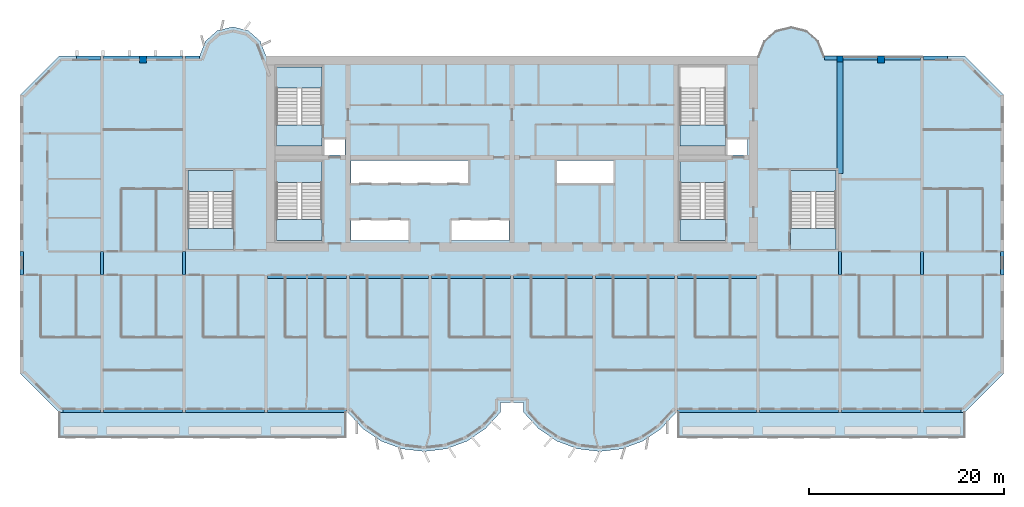
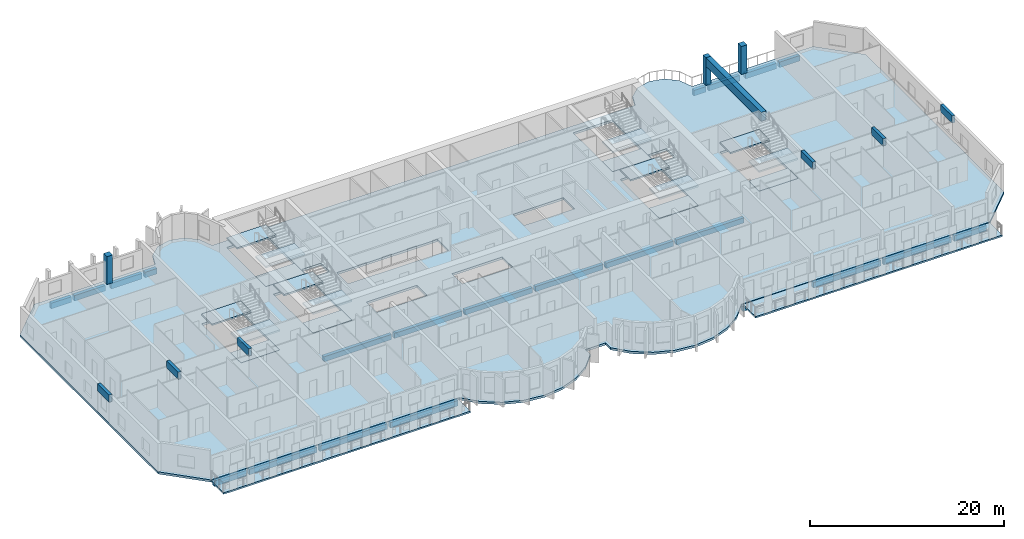
# One storey, part 1 of 15: 29 beams, 20 slabs, 3 columns, 6 elements without a shape of their own.
"""IFC4 building model written with IfcOpenShell, lengths in metres."""

from ifc_helpers import new_model, si_unit, direction, frame, origin, origin_2d, place, context, subcontext, project, spatial, polyline, rectangle, outline, extrude, source, transform, mapped, material, layer, layer_set, material_profile, profile_set, type_object, element, aggregate, save


model = new_model("IFC4")

# Units and contexts
model_context = context("Model", 3, precision=1e-05, world=origin(), true_north=direction((0.0, 1.0)))
body_context = subcontext(model_context, "Body", "Model", "MODEL_VIEW")
ifc_project = project(units=[si_unit("LENGTHUNIT", "METRE"), si_unit("AREAUNIT", "SQUARE_METRE"), si_unit("VOLUMEUNIT", "CUBIC_METRE"), si_unit("PLANEANGLEUNIT", "RADIAN"), si_unit("MASSUNIT", "GRAM", prefix="KILO")], contexts=[model_context])

# Site, building, storey
site_placement = place(None, origin())
site = spatial("IfcSite", under=ifc_project, at=site_placement, CompositionType="ELEMENT")
building_placement = place(site_placement, origin())
building = spatial("IfcBuilding", under=site, at=building_placement, Name="Vanashikhar Sky Hotel", CompositionType="ELEMENT")
storey_placement = place(building_placement, frame((0.0, 0.0, 137.0)))
storey = spatial("IfcBuildingStorey", under=building, at=storey_placement, Name="L33", CompositionType="ELEMENT", Elevation=137.0)

# Columns
ifc_material_1 = material(Name="Concrete M60", Category="concrete")
ifc_material_profile_1 = material_profile(ifc_material_1, rectangle(XDim=0.60009765625, YDim=0.60009765625, at=origin_2d()))
ifc_profile_set_1 = profile_set([ifc_material_profile_1], Name="RC 600x600 column Concrete M60")
column_type_1 = type_object("IfcColumnType", Name="RC 600x600 column Concrete M60", PredefinedType="COLUMN", material=ifc_profile_set_1)
shared_shape_1 = source(origin(), body_context, "Body", "SweptSolid", [
    extrude(rectangle(XDim=0.60009765625, YDim=0.60009765625, at=origin_2d()), origin(), (0.0, 0.0, 1.0), 3.52001953125),
])
column_placement = place(storey_placement, frame((84.0, 41.699951171875, 0.0), z_axis=(0.0, 0.0, 1.0), x_axis=(1.0, 0.0, 0.0)))
element("IfcColumn", 1, at=column_placement, inside=storey, type_object=column_type_1, Name="CL-L33-CRF", PredefinedType="COLUMN", context=body_context, shape_type="MappedRepresentation", body=[
    mapped(shared_shape_1, transform((0.0, 0.0, 0.0), scale=1.0)),
])
ifc_material_profile_2 = material_profile(ifc_material_1, rectangle(XDim=0.699951171875, YDim=0.699951171875, at=origin_2d()))
ifc_profile_set_2 = profile_set([ifc_material_profile_2], Name="RC 700x700 column Concrete M60")
column_type_2 = type_object("IfcColumnType", Name="RC 700x700 column Concrete M60", PredefinedType="COLUMN", material=ifc_profile_set_2)
shared_shape_2 = source(origin(), body_context, "Body", "SweptSolid", [
    extrude(rectangle(XDim=0.699951171875, YDim=0.699951171875, at=origin_2d()), origin(), (0.0, 0.0, 1.0), 3.52001953125),
])
for number, where, z_axis, x_axis, name in (
    (2, (12.60009765625, 41.64990234375, 0.0), (0.0, 0.0, 1.0), (1.0, 0.0, 0.0), "CL-L33-CR02"),
    (3, (88.199951171875, 41.64990234375, 0.0), (0.0, 0.0, 1.0), (1.0, 0.0, 0.0), "CL-L33-CR11"),
):
    element("IfcColumn", number, at=place(storey_placement, frame(where, z_axis=z_axis, x_axis=x_axis)), inside=storey, type_object=column_type_2, Name=name, PredefinedType="COLUMN", context=body_context, shape_type="MappedRepresentation", body=[
        mapped(shared_shape_2, transform((0.0, 0.0, 0.0), scale=1.0)),
    ])

# Beams
ifc_material_2 = material(Name="Concrete M50", Category="concrete")
ifc_material_profile_3 = material_profile(ifc_material_2, rectangle(XDim=0.60009765625, YDim=1.10009765625, at=origin_2d()))
ifc_profile_set_3 = profile_set([ifc_material_profile_3], Name="RC 600x1100 beam Concrete M50")
beam_type_1 = type_object("IfcBeamType", Name="RC 600x1100 beam Concrete M50", PredefinedType="BEAM", material=ifc_profile_set_3)
shared_shape_3 = source(origin(), body_context, "Body", "SweptSolid", [
    extrude(rectangle(XDim=0.60009765625, YDim=1.10009765625, at=origin_2d()), origin(), (0.0, 0.0, 1.0), 11.39990234375),
])
beam_1_placement = place(storey_placement, frame((84.0, 30.0, 2.969970703125), z_axis=(0.0, 1.0, 0.0), x_axis=(-1.0, 0.0, 0.0)))
element("IfcBeam", 4, at=beam_1_placement, inside=storey, type_object=beam_type_1, Name="LB-L33-XW11-O1", PredefinedType="BEAM", context=body_context, shape_type="MappedRepresentation", body=[
    mapped(shared_shape_3, transform((0.0, 0.0, 0.0), scale=1.0)),
])
ifc_material_profile_4 = material_profile(ifc_material_2, rectangle(XDim=0.35009765625, YDim=0.89990234375, at=origin_2d()))
ifc_profile_set_4 = profile_set([ifc_material_profile_4], Name="RC 350x900 beam Concrete M50")
beam_type_2 = type_object("IfcBeamType", Name="RC 350x900 beam Concrete M50", PredefinedType="LINTEL", material=ifc_profile_set_4)
shared_shape_4 = source(origin(), body_context, "Body", "SweptSolid", [
    extrude(rectangle(XDim=0.35009765625, YDim=0.89990234375, at=origin_2d()), origin(), (0.0, 0.0, 1.0), 2.39990234375),
])
for number, where, z_axis, x_axis, name in (
    (5, (0.175048828125, 19.60009765625, 3.070068359375), (0.0, 1.0, 0.0), (-1.0, 0.0, 0.0), "LB-L33-XW01"),
    (6, (8.39990234375, 19.60009765625, 3.070068359375), (0.0, 1.0, 0.0), (-1.0, 0.0, 0.0), "LB-L33-XW02"),
    (7, (16.800048828125, 19.60009765625, 3.070068359375), (0.0, 1.0, 0.0), (-1.0, 0.0, 0.0), "LB-L33-XW03"),
    (8, (84.0, 19.60009765625, 3.070068359375), (0.0, 1.0, 0.0), (-1.0, 0.0, 0.0), "LB-L33-XW11"),
    (9, (92.39990234375, 19.60009765625, 3.070068359375), (0.0, 1.0, 0.0), (-1.0, 0.0, 0.0), "LB-L33-XW12"),
    (10, (100.625, 19.60009765625, 3.070068359375), (0.0, 1.0, 0.0), (-1.0, 0.0, 0.0), "LB-L33-XW13"),
):
    element("IfcBeam", number, at=place(storey_placement, frame(where, z_axis=z_axis, x_axis=x_axis)), inside=storey, type_object=beam_type_2, Name=name, PredefinedType="LINTEL", context=body_context, shape_type="MappedRepresentation", body=[
        mapped(shared_shape_4, transform((0.0, 0.0, 0.0), scale=1.0)),
    ])
ifc_material_profile_5 = material_profile(ifc_material_2, rectangle(XDim=0.39990234375, YDim=0.699951171875, at=origin_2d()))
ifc_profile_set_5 = profile_set([ifc_material_profile_5], Name="RC 400x700 beam Concrete M50")
beam_type_3 = type_object("IfcBeamType", Name="RC 400x700 beam Concrete M50", PredefinedType="SPANDREL", material=ifc_profile_set_5)
shared_shape_5 = source(origin(), body_context, "Body", "SweptSolid", [
    extrude(rectangle(XDim=0.39990234375, YDim=0.699951171875, at=origin_2d()), origin(), (0.0, 0.0, 1.0), 8.050048828125),
])
for number, where, z_axis, x_axis, name in (
    (11, (8.574951171875, 5.699951171875, -0.6298828125), (1.0, 0.0, 0.0), (0.0, 1.0, 0.0), "EB-L33-F01"),
    (12, (25.375, 5.699951171875, -0.6298828125), (1.0, 0.0, 0.0), (0.0, 1.0, 0.0), "EB-L33-F03"),
    (13, (67.375, 5.699951171875, -0.6298828125), (1.0, 0.0, 0.0), (0.0, 1.0, 0.0), "EB-L33-F05"),
    (14, (75.77490234375, 5.699951171875, -0.6298828125), (1.0, 0.0, 0.0), (0.0, 1.0, 0.0), "EB-L33-F06"),
    (15, (84.175048828125, 5.699951171875, -0.6298828125), (1.0, 0.0, 0.0), (0.0, 1.0, 0.0), "EB-L33-F07"),
):
    element("IfcBeam", number, at=place(storey_placement, frame(where, z_axis=z_axis, x_axis=x_axis)), inside=storey, type_object=beam_type_3, Name=name, PredefinedType="SPANDREL", context=body_context, shape_type="MappedRepresentation", body=[
        mapped(shared_shape_5, transform((0.0, 0.0, 0.0), scale=1.0)),
    ])
shared_shape_6 = source(origin(), body_context, "Body", "SweptSolid", [
    extrude(rectangle(XDim=0.39990234375, YDim=0.699951171875, at=origin_2d()), origin(), (0.0, 0.0, 1.0), 8.0498046875),
])
beam_2_placement = place(storey_placement, frame((16.97509765625, 5.699951171875, -0.6298828125), z_axis=(1.0, 0.0, 0.0), x_axis=(0.0, 1.0, 0.0)))
element("IfcBeam", 16, at=beam_2_placement, inside=storey, type_object=beam_type_3, Name="EB-L33-F02", PredefinedType="SPANDREL", context=body_context, shape_type="MappedRepresentation", body=[
    mapped(shared_shape_6, transform((0.0, 0.0, 0.0), scale=1.0)),
])
ifc_material_profile_6 = material_profile(ifc_material_2, rectangle(XDim=0.39990234375, YDim=0.699951171875, at=origin_2d()))
ifc_profile_set_6 = profile_set([ifc_material_profile_6], Name="RC 400x700 cantilever beam Concrete M50")
beam_type_4 = type_object("IfcBeamType", Name="RC 400x700 cantilever beam Concrete M50", PredefinedType="SPANDREL", material=ifc_profile_set_6)
shared_shape_7 = source(origin(), body_context, "Body", "SweptSolid", [
    extrude(rectangle(XDim=0.39990234375, YDim=0.699951171875, at=origin_2d()), origin(), (0.0, 0.0, 1.0), 3.8251953125),
])
beam_3_placement = place(storey_placement, frame((4.39990234375, 5.699951171875, -0.6298828125), z_axis=(1.0, 0.0, 0.0), x_axis=(0.0, 1.0, 0.0)))
element("IfcBeam", 17, at=beam_3_placement, inside=storey, type_object=beam_type_4, Name="EB-L33-F04", PredefinedType="SPANDREL", context=body_context, shape_type="MappedRepresentation", body=[
    mapped(shared_shape_7, transform((0.0, 0.0, 0.0), scale=1.0)),
])
shared_shape_8 = source(origin(), body_context, "Body", "SweptSolid", [
    extrude(rectangle(XDim=0.39990234375, YDim=0.699951171875, at=origin_2d()), origin(), (0.0, 0.0, 1.0), 3.824951171875),
])
beam_4_placement = place(storey_placement, frame((92.574951171875, 5.699951171875, -0.6298828125), z_axis=(1.0, 0.0, 0.0), x_axis=(0.0, 1.0, 0.0)))
element("IfcBeam", 18, at=beam_4_placement, inside=storey, type_object=beam_type_4, Name="EB-L33-F08", PredefinedType="SPANDREL", context=body_context, shape_type="MappedRepresentation", body=[
    mapped(shared_shape_8, transform((0.0, 0.0, 0.0), scale=1.0)),
])
shared_shape_9 = source(origin(), body_context, "Body", "SweptSolid", [
    extrude(rectangle(XDim=0.39990234375, YDim=0.699951171875, at=origin_2d()), origin(), (0.0, 0.0, 1.0), 3.675048828125),
])
for number, where, z_axis, x_axis, name in (
    (19, (8.574951171875, 41.800048828125, -0.6298828125), (1.0, 0.0, 0.0), (0.0, 1.0, 0.0), "EB-L33-R01"),
    (20, (12.949951171875, 41.800048828125, -0.6298828125), (1.0, 0.0, 0.0), (0.0, 1.0, 0.0), "EB-L33-R02"),
    (21, (84.175048828125, 41.800048828125, -0.6298828125), (1.0, 0.0, 0.0), (0.0, 1.0, 0.0), "EB-L33-R05"),
    (22, (88.550048828125, 41.800048828125, -0.6298828125), (1.0, 0.0, 0.0), (0.0, 1.0, 0.0), "EB-L33-R06"),
):
    element("IfcBeam", number, at=place(storey_placement, frame(where, z_axis=z_axis, x_axis=x_axis)), inside=storey, type_object=beam_type_3, Name=name, PredefinedType="SPANDREL", context=body_context, shape_type="MappedRepresentation", body=[
        mapped(shared_shape_9, transform((0.0, 0.0, 0.0), scale=1.0)),
    ])
shared_shape_10 = source(origin(), body_context, "Body", "SweptSolid", [
    extrude(rectangle(XDim=0.39990234375, YDim=0.699951171875, at=origin_2d()), origin(), (0.0, 0.0, 1.0), 2.43017578125),
])
beam_5_placement = place(storey_placement, frame((5.794921875, 41.800048828125, -0.6298828125), z_axis=(1.0, 0.0, 0.0), x_axis=(0.0, 1.0, 0.0)))
element("IfcBeam", 23, at=beam_5_placement, inside=storey, type_object=beam_type_4, Name="EB-L33-R03", PredefinedType="SPANDREL", context=body_context, shape_type="MappedRepresentation", body=[
    mapped(shared_shape_10, transform((0.0, 0.0, 0.0), scale=1.0)),
])
shared_shape_11 = source(origin(), body_context, "Body", "SweptSolid", [
    extrude(rectangle(XDim=0.39990234375, YDim=0.699951171875, at=origin_2d()), origin(), (0.0, 0.0, 1.0), 1.4248046875),
])
beam_6_placement = place(storey_placement, frame((16.97509765625, 41.800048828125, -0.6298828125), z_axis=(1.0, 0.0, 0.0), x_axis=(0.0, 1.0, 0.0)))
element("IfcBeam", 24, at=beam_6_placement, inside=storey, type_object=beam_type_4, Name="EB-L33-R04", PredefinedType="SPANDREL", context=body_context, shape_type="MappedRepresentation", body=[
    mapped(shared_shape_11, transform((0.0, 0.0, 0.0), scale=1.0)),
])
shared_shape_12 = source(origin(), body_context, "Body", "SweptSolid", [
    extrude(rectangle(XDim=0.39990234375, YDim=0.699951171875, at=origin_2d()), origin(), (0.0, 0.0, 1.0), 1.425048828125),
])
beam_7_placement = place(storey_placement, frame((82.39990234375, 41.800048828125, -0.6298828125), z_axis=(1.0, 0.0, 0.0), x_axis=(0.0, 1.0, 0.0)))
element("IfcBeam", 25, at=beam_7_placement, inside=storey, type_object=beam_type_4, Name="EB-L33-R07", PredefinedType="SPANDREL", context=body_context, shape_type="MappedRepresentation", body=[
    mapped(shared_shape_12, transform((0.0, 0.0, 0.0), scale=1.0)),
])
shared_shape_13 = source(origin(), body_context, "Body", "SweptSolid", [
    extrude(rectangle(XDim=0.39990234375, YDim=0.699951171875, at=origin_2d()), origin(), (0.0, 0.0, 1.0), 2.429931640625),
])
beam_8_placement = place(storey_placement, frame((92.574951171875, 41.800048828125, -0.6298828125), z_axis=(1.0, 0.0, 0.0), x_axis=(0.0, 1.0, 0.0)))
element("IfcBeam", 26, at=beam_8_placement, inside=storey, type_object=beam_type_4, Name="EB-L33-R08", PredefinedType="SPANDREL", context=body_context, shape_type="MappedRepresentation", body=[
    mapped(shared_shape_13, transform((0.0, 0.0, 0.0), scale=1.0)),
])
ifc_material_profile_7 = material_profile(ifc_material_2, rectangle(XDim=0.39990234375, YDim=0.64990234375, at=origin_2d()))
ifc_profile_set_7 = profile_set([ifc_material_profile_7], Name="RC 400x650 beam Concrete M50")
beam_type_5 = type_object("IfcBeamType", Name="RC 400x650 beam Concrete M50", PredefinedType="BEAM", material=ifc_profile_set_7)
shared_shape_14 = source(origin(), body_context, "Body", "SweptSolid", [
    extrude(rectangle(XDim=0.39990234375, YDim=0.64990234375, at=origin_2d()), origin(), (0.0, 0.0, 1.0), 8.050048828125),
])
for number, where, z_axis, x_axis, name in (
    (27, (25.375, 19.39990234375, -0.60498046875), (1.0, 0.0, 0.0), (0.0, 1.0, 0.0), "CB-L33-01"),
    (28, (33.77490234375, 19.39990234375, -0.60498046875), (1.0, 0.0, 0.0), (0.0, 1.0, 0.0), "CB-L33-02"),
    (29, (42.175048828125, 19.39990234375, -0.60498046875), (1.0, 0.0, 0.0), (0.0, 1.0, 0.0), "CB-L33-03"),
    (30, (50.574951171875, 19.39990234375, -0.60498046875), (1.0, 0.0, 0.0), (0.0, 1.0, 0.0), "CB-L33-04"),
    (31, (67.375, 19.39990234375, -0.60498046875), (1.0, 0.0, 0.0), (0.0, 1.0, 0.0), "CB-L33-06"),
):
    element("IfcBeam", number, at=place(storey_placement, frame(where, z_axis=z_axis, x_axis=x_axis)), inside=storey, type_object=beam_type_5, Name=name, PredefinedType="BEAM", context=body_context, shape_type="MappedRepresentation", body=[
        mapped(shared_shape_14, transform((0.0, 0.0, 0.0), scale=1.0)),
    ])
shared_shape_15 = source(origin(), body_context, "Body", "SweptSolid", [
    extrude(rectangle(XDim=0.39990234375, YDim=0.64990234375, at=origin_2d()), origin(), (0.0, 0.0, 1.0), 8.0498046875),
])
beam_9_placement = place(storey_placement, frame((58.97509765625, 19.39990234375, -0.60498046875), z_axis=(1.0, 0.0, 0.0), x_axis=(0.0, 1.0, 0.0)))
element("IfcBeam", 32, at=beam_9_placement, inside=storey, type_object=beam_type_5, Name="CB-L33-05", PredefinedType="BEAM", context=body_context, shape_type="MappedRepresentation", body=[
    mapped(shared_shape_15, transform((0.0, 0.0, 0.0), scale=1.0)),
])

# Slabs
ifc_material_3 = material(Name="Concrete M40", Category="concrete")
ifc_layer_1 = layer(ifc_material_3, 0.280029296875)
ifc_layer_set_1 = layer_set([ifc_layer_1], Name="Floor slab 280 mm")
slab_type_1 = type_object("IfcSlabType", Name="Floor slab 280 mm", PredefinedType="FLOOR", material=ifc_layer_set_1)
shared_shape_16 = source(origin(), body_context, "Body", "SweptSolid", [
    extrude(outline(polyline([(49.199951171875, 5.5), (49.199951171875, 6.5), (51.60009765625, 6.5), (51.60009765625, 5.5), (53.133056640625, 3.825927734375), (55.01708984375, 2.55810546875), (57.14599609375, 1.76806640625), (59.39990234375, 1.5), (61.654052734375, 1.76806640625), (63.782958984375, 2.55810546875), (65.6669921875, 3.825927734375), (67.199951171875, 5.5), (96.800048828125, 5.5), (100.800048828125, 9.5), (100.800048828125, 38.0), (96.800048828125, 42.0), (82.39990234375, 42.0), (81.81494140625, 43.527099609375), (80.587890625, 44.610107421875), (79.0, 45.0), (77.412109375, 44.610107421875), (76.18505859375, 43.527099609375), (75.60009765625, 42.0), (25.199951171875, 42.0), (24.614990234375, 43.527099609375), (23.387939453125, 44.610107421875), (21.800048828125, 45.0), (20.2119140625, 44.610107421875), (18.985107421875, 43.527099609375), (18.39990234375, 42.0), (4.0, 42.0), (0.0, 38.0), (0.0, 9.5), (4.0, 5.5), (33.60009765625, 5.5), (35.133056640625, 3.825927734375), (37.01708984375, 2.55810546875), (39.14599609375, 1.76806640625), (41.39990234375, 1.5), (43.654052734375, 1.76806640625), (45.782958984375, 2.55810546875), (47.6669921875, 3.825927734375), (49.199951171875, 5.5)]), holes=[polyline([(33.300048828125, 33.60009765625), (31.050048828125, 33.60009765625), (31.050048828125, 31.89990234375), (33.300048828125, 31.89990234375), (33.300048828125, 33.60009765625)]), polyline([(33.89990234375, 25.199951171875), (33.89990234375, 23.10009765625), (39.89990234375, 23.10009765625), (39.89990234375, 25.199951171875), (33.89990234375, 25.199951171875)]), polyline([(33.89990234375, 31.300048828125), (33.89990234375, 29.0), (45.89990234375, 29.0), (45.89990234375, 31.300048828125), (33.89990234375, 31.300048828125)]), polyline([(44.10009765625, 25.199951171875), (44.10009765625, 23.10009765625), (50.10009765625, 23.10009765625), (50.10009765625, 25.199951171875), (44.10009765625, 25.199951171875)]), polyline([(54.89990234375, 31.300048828125), (54.89990234375, 29.0), (60.89990234375, 29.0), (60.89990234375, 31.300048828125), (54.89990234375, 31.300048828125)]), polyline([(74.5, 33.60009765625), (72.35009765625, 33.60009765625), (72.35009765625, 31.89990234375), (74.5, 31.89990234375), (74.5, 33.60009765625)]), polyline([(30.949951171875, 23.10009765625), (30.949951171875, 31.199951171875), (26.300048828125, 31.199951171875), (26.300048828125, 23.10009765625), (30.949951171875, 23.10009765625)]), polyline([(72.25, 23.10009765625), (72.25, 31.199951171875), (67.60009765625, 31.199951171875), (67.60009765625, 23.10009765625), (72.25, 23.10009765625)]), polyline([(30.949951171875, 32.800048828125), (30.949951171875, 40.89990234375), (26.300048828125, 40.89990234375), (26.300048828125, 32.800048828125), (30.949951171875, 32.800048828125)]), polyline([(72.25, 32.800048828125), (72.25, 40.89990234375), (67.60009765625, 40.89990234375), (67.60009765625, 32.800048828125), (72.25, 32.800048828125)]), polyline([(83.60009765625, 22.199951171875), (83.60009765625, 30.300048828125), (78.949951171875, 30.300048828125), (78.949951171875, 22.199951171875), (83.60009765625, 22.199951171875)]), polyline([(21.85009765625, 22.199951171875), (21.85009765625, 30.300048828125), (17.199951171875, 30.300048828125), (17.199951171875, 22.199951171875), (21.85009765625, 22.199951171875)])]), origin(), (0.0, 0.0, 1.0), 0.280029296875),
])
slab_1_placement = place(storey_placement, frame((0.0, 0.0, -0.280029296875)))
element("IfcSlab", 33, at=slab_1_placement, inside=storey, type_object=slab_type_1, Name="Floor slab L33", PredefinedType="FLOOR", context=body_context, shape_type="MappedRepresentation", body=[
    mapped(shared_shape_16, transform((0.0, 0.0, 0.0), scale=1.0)),
])
ifc_layer_2 = layer(ifc_material_3, 0.199951171875)
ifc_layer_set_2 = layer_set([ifc_layer_2], Name="Balcony slab 200 mm")
slab_type_2 = type_object("IfcSlabType", Name="Balcony slab 200 mm", PredefinedType="USERDEFINED", material=ifc_layer_set_2)
shared_shape_17 = source(origin(), body_context, "Body", "SweptSolid", [
    extrude(outline(polyline([(4.0, 2.89990234375), (33.39990234375, 2.89990234375), (33.39990234375, 5.5), (4.0, 5.5), (4.0, 2.89990234375)])), origin(), (0.0, 0.0, 1.0), 0.199951171875),
])
slab_2_placement = place(storey_placement, frame((0.0, 0.0, -0.25)))
element("IfcSlab", 34, at=slab_2_placement, inside=storey, type_object=slab_type_2, Name="Balcony slab L33 1", ObjectType="BALCONY", PredefinedType="USERDEFINED", context=body_context, shape_type="MappedRepresentation", body=[
    mapped(shared_shape_17, transform((0.0, 0.0, 0.0), scale=1.0)),
])
shared_shape_18 = source(origin(), body_context, "Body", "SweptSolid", [
    extrude(outline(polyline([(67.39990234375, 2.89990234375), (96.800048828125, 2.89990234375), (96.800048828125, 5.5), (67.39990234375, 5.5), (67.39990234375, 2.89990234375)])), origin(), (0.0, 0.0, 1.0), 0.199951171875),
])
slab_3_placement = place(storey_placement, frame((0.0, 0.0, -0.25)))
element("IfcSlab", 35, at=slab_3_placement, inside=storey, type_object=slab_type_2, Name="Balcony slab L33 2", ObjectType="BALCONY", PredefinedType="USERDEFINED", context=body_context, shape_type="MappedRepresentation", body=[
    mapped(shared_shape_18, transform((0.0, 0.0, 0.0), scale=1.0)),
])

# Stair, slabs
stair_type = type_object("IfcStairType", Name="Exit stair 2150", PredefinedType="DOUBLE_RETURN_STAIR", material=ifc_material_3)
stair_1_placement = place(storey_placement, origin())
stair_1 = element("IfcStair", 36, at=stair_1_placement, inside=storey, type_object=stair_type, Name="L33 Exit stair 1", PredefinedType="DOUBLE_RETURN_STAIR")
ifc_layer_3 = layer(ifc_material_3, 0.199951171875)
ifc_layer_set_3 = layer_set([ifc_layer_3], Name="Stair landing 200")
slab_type_3 = type_object("IfcSlabType", Name="Stair landing 200", PredefinedType="LANDING", material=ifc_layer_set_3)
shared_shape_19 = source(origin(), body_context, "Body", "SweptSolid", [
    extrude(outline(polyline([(30.949951171875, 29.050048828125), (30.949951171875, 31.199951171875), (26.300048828125, 31.199951171875), (26.300048828125, 29.050048828125), (30.949951171875, 29.050048828125)])), origin(), (0.0, 0.0, 1.0), 0.199951171875),
])
slab_4_placement = place(storey_placement, frame((0.0, 0.0, 1.066650390625)))
slab_4 = element("IfcSlab", 37, at=slab_4_placement, type_object=slab_type_3, Name="ST-C1 landing 1", PredefinedType="LANDING", context=body_context, shape_type="MappedRepresentation", body=[
    mapped(shared_shape_19, transform((0.0, 0.0, 0.0), scale=1.0)),
])
shared_shape_20 = source(origin(), body_context, "Body", "SweptSolid", [
    extrude(outline(polyline([(30.949951171875, 23.10009765625), (30.949951171875, 25.25), (26.300048828125, 25.25), (26.300048828125, 23.10009765625), (30.949951171875, 23.10009765625)])), origin(), (0.0, 0.0, 1.0), 0.2001953125),
])
slab_5_placement = place(storey_placement, frame((0.0, 0.0, 2.333251953125)))
slab_5 = element("IfcSlab", 38, at=slab_5_placement, type_object=slab_type_3, Name="ST-C1 landing 2", PredefinedType="LANDING", context=body_context, shape_type="MappedRepresentation", body=[
    mapped(shared_shape_20, transform((0.0, 0.0, 0.0), scale=1.0)),
])
aggregate(stair_1, [slab_4, slab_5])

# Slab
ifc_layer_4 = layer(ifc_material_3, 0.280029296875)
ifc_layer_set_4 = layer_set([ifc_layer_4], Name="Stair floor landing 280")
slab_type_4 = type_object("IfcSlabType", Name="Stair floor landing 280", PredefinedType="LANDING", material=ifc_layer_set_4)
shared_shape_21 = source(origin(), body_context, "Body", "SweptSolid", [
    extrude(outline(polyline([(30.949951171875, 23.10009765625), (30.949951171875, 25.25), (26.300048828125, 25.25), (26.300048828125, 23.10009765625), (30.949951171875, 23.10009765625)])), origin(), (0.0, 0.0, 1.0), 0.280029296875),
])
slab_6_placement = place(storey_placement, frame((0.0, 0.0, -0.280029296875)))
element("IfcSlab", 39, at=slab_6_placement, inside=storey, type_object=slab_type_4, Name="Exit stair 1 floor landing", PredefinedType="LANDING", context=body_context, shape_type="MappedRepresentation", body=[
    mapped(shared_shape_21, transform((0.0, 0.0, 0.0), scale=1.0)),
])

# Stair, slabs
stair_2_placement = place(storey_placement, origin())
stair_2 = element("IfcStair", 40, at=stair_2_placement, inside=storey, type_object=stair_type, Name="L33 Exit stair 2", PredefinedType="DOUBLE_RETURN_STAIR")
shared_shape_22 = source(origin(), body_context, "Body", "SweptSolid", [
    extrude(outline(polyline([(72.25, 29.050048828125), (72.25, 31.199951171875), (67.60009765625, 31.199951171875), (67.60009765625, 29.050048828125), (72.25, 29.050048828125)])), origin(), (0.0, 0.0, 1.0), 0.199951171875),
])
slab_7_placement = place(storey_placement, frame((0.0, 0.0, 1.066650390625)))
slab_7 = element("IfcSlab", 41, at=slab_7_placement, type_object=slab_type_3, Name="ST-C2 landing 1", PredefinedType="LANDING", context=body_context, shape_type="MappedRepresentation", body=[
    mapped(shared_shape_22, transform((0.0, 0.0, 0.0), scale=1.0)),
])
shared_shape_23 = source(origin(), body_context, "Body", "SweptSolid", [
    extrude(outline(polyline([(72.25, 23.10009765625), (72.25, 25.25), (67.60009765625, 25.25), (67.60009765625, 23.10009765625), (72.25, 23.10009765625)])), origin(), (0.0, 0.0, 1.0), 0.2001953125),
])
slab_8_placement = place(storey_placement, frame((0.0, 0.0, 2.333251953125)))
slab_8 = element("IfcSlab", 42, at=slab_8_placement, type_object=slab_type_3, Name="ST-C2 landing 2", PredefinedType="LANDING", context=body_context, shape_type="MappedRepresentation", body=[
    mapped(shared_shape_23, transform((0.0, 0.0, 0.0), scale=1.0)),
])
aggregate(stair_2, [slab_7, slab_8])

# Slab
shared_shape_24 = source(origin(), body_context, "Body", "SweptSolid", [
    extrude(outline(polyline([(72.25, 23.10009765625), (72.25, 25.25), (67.60009765625, 25.25), (67.60009765625, 23.10009765625), (72.25, 23.10009765625)])), origin(), (0.0, 0.0, 1.0), 0.280029296875),
])
slab_9_placement = place(storey_placement, frame((0.0, 0.0, -0.280029296875)))
element("IfcSlab", 43, at=slab_9_placement, inside=storey, type_object=slab_type_4, Name="Exit stair 2 floor landing", PredefinedType="LANDING", context=body_context, shape_type="MappedRepresentation", body=[
    mapped(shared_shape_24, transform((0.0, 0.0, 0.0), scale=1.0)),
])

# Stair, slabs
stair_3_placement = place(storey_placement, origin())
stair_3 = element("IfcStair", 44, at=stair_3_placement, inside=storey, type_object=stair_type, Name="L33 Exit stair 3", PredefinedType="DOUBLE_RETURN_STAIR")
shared_shape_25 = source(origin(), body_context, "Body", "SweptSolid", [
    extrude(outline(polyline([(21.85009765625, 28.14990234375), (21.85009765625, 30.300048828125), (17.199951171875, 30.300048828125), (17.199951171875, 28.14990234375), (21.85009765625, 28.14990234375)])), origin(), (0.0, 0.0, 1.0), 0.199951171875),
])
slab_10_placement = place(storey_placement, frame((0.0, 0.0, 1.066650390625)))
slab_10 = element("IfcSlab", 45, at=slab_10_placement, type_object=slab_type_3, Name="ST-W landing 1", PredefinedType="LANDING", context=body_context, shape_type="MappedRepresentation", body=[
    mapped(shared_shape_25, transform((0.0, 0.0, 0.0), scale=1.0)),
])
shared_shape_26 = source(origin(), body_context, "Body", "SweptSolid", [
    extrude(outline(polyline([(21.85009765625, 22.199951171875), (21.85009765625, 24.35009765625), (17.199951171875, 24.35009765625), (17.199951171875, 22.199951171875), (21.85009765625, 22.199951171875)])), origin(), (0.0, 0.0, 1.0), 0.2001953125),
])
slab_11_placement = place(storey_placement, frame((0.0, 0.0, 2.333251953125)))
slab_11 = element("IfcSlab", 46, at=slab_11_placement, type_object=slab_type_3, Name="ST-W landing 2", PredefinedType="LANDING", context=body_context, shape_type="MappedRepresentation", body=[
    mapped(shared_shape_26, transform((0.0, 0.0, 0.0), scale=1.0)),
])
aggregate(stair_3, [slab_10, slab_11])

# Slab
shared_shape_27 = source(origin(), body_context, "Body", "SweptSolid", [
    extrude(outline(polyline([(21.85009765625, 22.199951171875), (21.85009765625, 24.35009765625), (17.199951171875, 24.35009765625), (17.199951171875, 22.199951171875), (21.85009765625, 22.199951171875)])), origin(), (0.0, 0.0, 1.0), 0.280029296875),
])
slab_12_placement = place(storey_placement, frame((0.0, 0.0, -0.280029296875)))
element("IfcSlab", 47, at=slab_12_placement, inside=storey, type_object=slab_type_4, Name="Exit stair 3 floor landing", PredefinedType="LANDING", context=body_context, shape_type="MappedRepresentation", body=[
    mapped(shared_shape_27, transform((0.0, 0.0, 0.0), scale=1.0)),
])

# Stair, slabs
stair_4_placement = place(storey_placement, origin())
stair_4 = element("IfcStair", 48, at=stair_4_placement, inside=storey, type_object=stair_type, Name="L33 Exit stair 4", PredefinedType="DOUBLE_RETURN_STAIR")
shared_shape_28 = source(origin(), body_context, "Body", "SweptSolid", [
    extrude(outline(polyline([(83.60009765625, 28.14990234375), (83.60009765625, 30.300048828125), (78.949951171875, 30.300048828125), (78.949951171875, 28.14990234375), (83.60009765625, 28.14990234375)])), origin(), (0.0, 0.0, 1.0), 0.199951171875),
])
slab_13_placement = place(storey_placement, frame((0.0, 0.0, 1.066650390625)))
slab_13 = element("IfcSlab", 49, at=slab_13_placement, type_object=slab_type_3, Name="ST-E landing 1", PredefinedType="LANDING", context=body_context, shape_type="MappedRepresentation", body=[
    mapped(shared_shape_28, transform((0.0, 0.0, 0.0), scale=1.0)),
])
shared_shape_29 = source(origin(), body_context, "Body", "SweptSolid", [
    extrude(outline(polyline([(83.60009765625, 22.199951171875), (83.60009765625, 24.35009765625), (78.949951171875, 24.35009765625), (78.949951171875, 22.199951171875), (83.60009765625, 22.199951171875)])), origin(), (0.0, 0.0, 1.0), 0.2001953125),
])
slab_14_placement = place(storey_placement, frame((0.0, 0.0, 2.333251953125)))
slab_14 = element("IfcSlab", 50, at=slab_14_placement, type_object=slab_type_3, Name="ST-E landing 2", PredefinedType="LANDING", context=body_context, shape_type="MappedRepresentation", body=[
    mapped(shared_shape_29, transform((0.0, 0.0, 0.0), scale=1.0)),
])
aggregate(stair_4, [slab_13, slab_14])

# Slab
shared_shape_30 = source(origin(), body_context, "Body", "SweptSolid", [
    extrude(outline(polyline([(83.60009765625, 22.199951171875), (83.60009765625, 24.35009765625), (78.949951171875, 24.35009765625), (78.949951171875, 22.199951171875), (83.60009765625, 22.199951171875)])), origin(), (0.0, 0.0, 1.0), 0.280029296875),
])
slab_15_placement = place(storey_placement, frame((0.0, 0.0, -0.280029296875)))
element("IfcSlab", 51, at=slab_15_placement, inside=storey, type_object=slab_type_4, Name="Exit stair 4 floor landing", PredefinedType="LANDING", context=body_context, shape_type="MappedRepresentation", body=[
    mapped(shared_shape_30, transform((0.0, 0.0, 0.0), scale=1.0)),
])

# Stair, slabs
stair_5_placement = place(storey_placement, origin())
stair_5 = element("IfcStair", 52, at=stair_5_placement, inside=storey, type_object=stair_type, Name="L33 Exit stair 5", PredefinedType="DOUBLE_RETURN_STAIR")
shared_shape_31 = source(origin(), body_context, "Body", "SweptSolid", [
    extrude(outline(polyline([(30.949951171875, 38.75), (30.949951171875, 40.89990234375), (26.300048828125, 40.89990234375), (26.300048828125, 38.75), (30.949951171875, 38.75)])), origin(), (0.0, 0.0, 1.0), 0.199951171875),
])
slab_16_placement = place(storey_placement, frame((0.0, 0.0, 1.066650390625)))
slab_16 = element("IfcSlab", 53, at=slab_16_placement, type_object=slab_type_3, Name="ST-C3 landing 1", PredefinedType="LANDING", context=body_context, shape_type="MappedRepresentation", body=[
    mapped(shared_shape_31, transform((0.0, 0.0, 0.0), scale=1.0)),
])
shared_shape_32 = source(origin(), body_context, "Body", "SweptSolid", [
    extrude(outline(polyline([(30.949951171875, 32.800048828125), (30.949951171875, 34.949951171875), (26.300048828125, 34.949951171875), (26.300048828125, 32.800048828125), (30.949951171875, 32.800048828125)])), origin(), (0.0, 0.0, 1.0), 0.2001953125),
])
slab_17_placement = place(storey_placement, frame((0.0, 0.0, 2.333251953125)))
slab_17 = element("IfcSlab", 54, at=slab_17_placement, type_object=slab_type_3, Name="ST-C3 landing 2", PredefinedType="LANDING", context=body_context, shape_type="MappedRepresentation", body=[
    mapped(shared_shape_32, transform((0.0, 0.0, 0.0), scale=1.0)),
])
aggregate(stair_5, [slab_16, slab_17])

# Slab
shared_shape_33 = source(origin(), body_context, "Body", "SweptSolid", [
    extrude(outline(polyline([(30.949951171875, 32.800048828125), (30.949951171875, 34.949951171875), (26.300048828125, 34.949951171875), (26.300048828125, 32.800048828125), (30.949951171875, 32.800048828125)])), origin(), (0.0, 0.0, 1.0), 0.280029296875),
])
slab_18_placement = place(storey_placement, frame((0.0, 0.0, -0.280029296875)))
element("IfcSlab", 55, at=slab_18_placement, inside=storey, type_object=slab_type_4, Name="Exit stair 5 floor landing", PredefinedType="LANDING", context=body_context, shape_type="MappedRepresentation", body=[
    mapped(shared_shape_33, transform((0.0, 0.0, 0.0), scale=1.0)),
])

# Stair, slab
stair_6_placement = place(storey_placement, origin())
stair_6 = element("IfcStair", 56, at=stair_6_placement, inside=storey, type_object=stair_type, Name="L33 Exit stair 6", PredefinedType="DOUBLE_RETURN_STAIR")
shared_shape_34 = source(origin(), body_context, "Body", "SweptSolid", [
    extrude(outline(polyline([(72.25, 32.800048828125), (72.25, 34.949951171875), (67.60009765625, 34.949951171875), (67.60009765625, 32.800048828125), (72.25, 32.800048828125)])), origin(), (0.0, 0.0, 1.0), 0.2001953125),
])
slab_19_placement = place(storey_placement, frame((0.0, 0.0, 2.333251953125)))
slab_19 = element("IfcSlab", 57, at=slab_19_placement, type_object=slab_type_3, Name="ST-C4 landing 2", PredefinedType="LANDING", context=body_context, shape_type="MappedRepresentation", body=[
    mapped(shared_shape_34, transform((0.0, 0.0, 0.0), scale=1.0)),
])
aggregate(stair_6, [slab_19])

# Slab
shared_shape_35 = source(origin(), body_context, "Body", "SweptSolid", [
    extrude(outline(polyline([(72.25, 32.800048828125), (72.25, 34.949951171875), (67.60009765625, 34.949951171875), (67.60009765625, 32.800048828125), (72.25, 32.800048828125)])), origin(), (0.0, 0.0, 1.0), 0.280029296875),
])
slab_20_placement = place(storey_placement, frame((0.0, 0.0, -0.280029296875)))
element("IfcSlab", 58, at=slab_20_placement, inside=storey, type_object=slab_type_4, Name="Exit stair 6 floor landing", PredefinedType="LANDING", context=body_context, shape_type="MappedRepresentation", body=[
    mapped(shared_shape_35, transform((0.0, 0.0, 0.0), scale=1.0)),
])

save(model, "model.ifc")
